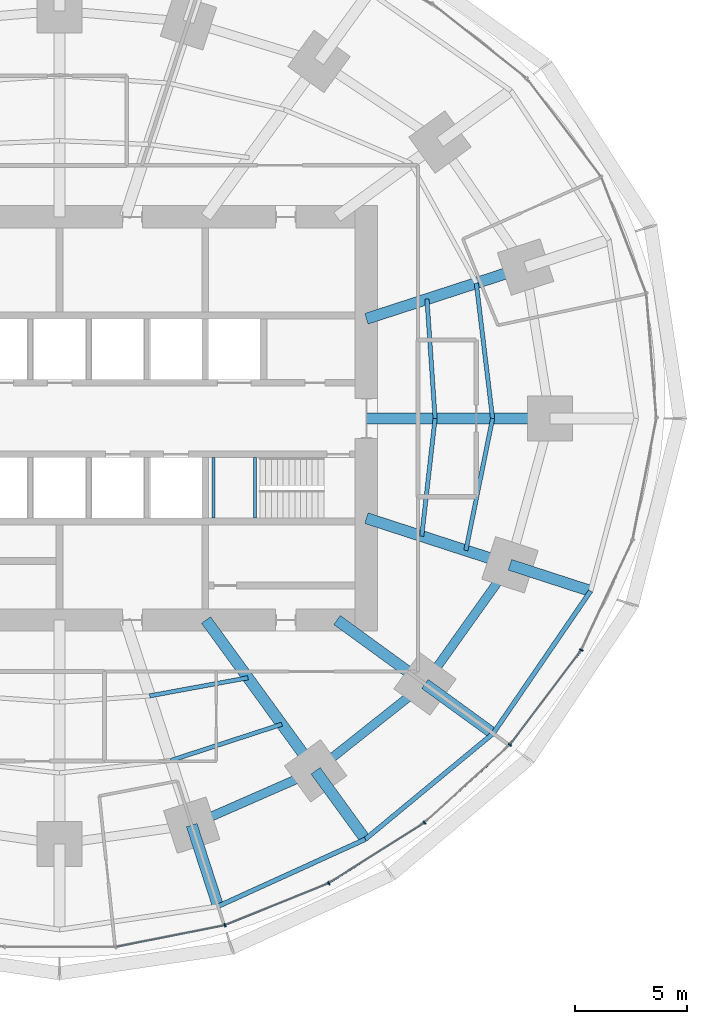
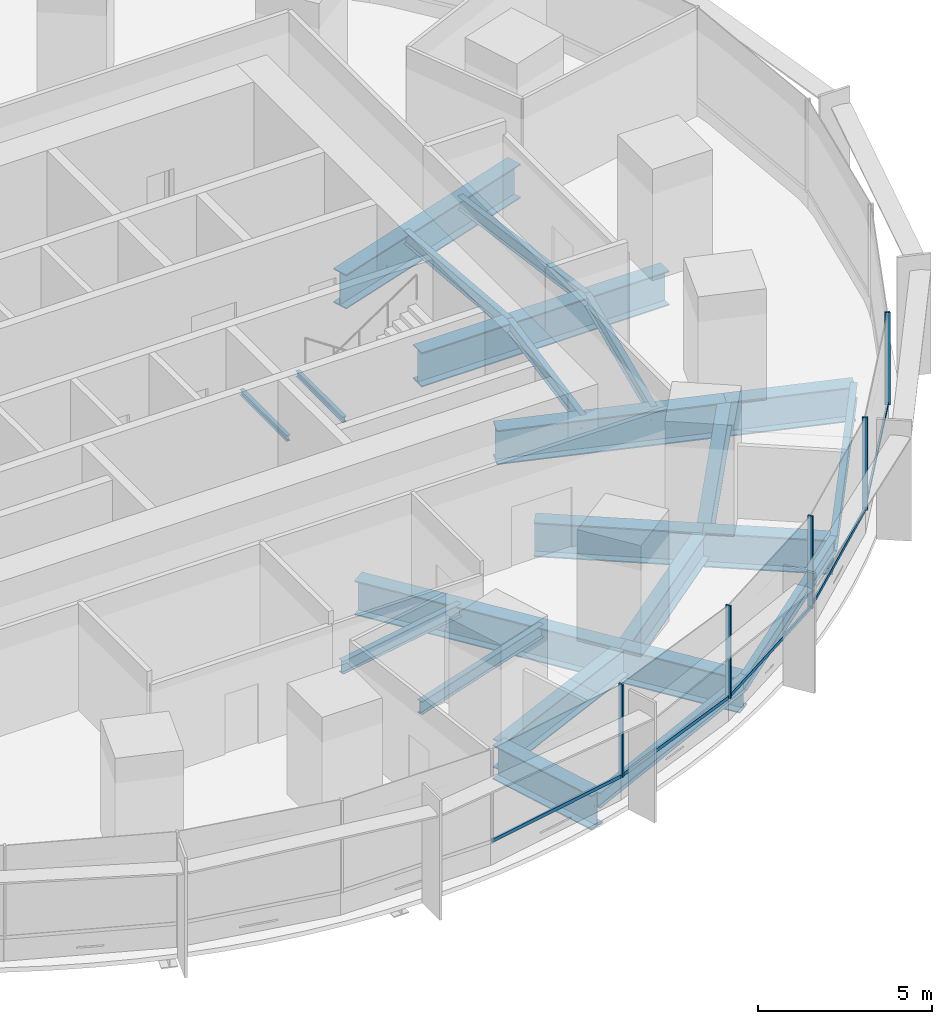
# One storey, part 5 of 15: 23 beams, 10 members, 2 elements without a shape of their own.
"""IFC4 building model written with IfcOpenShell, lengths in metres."""

from ifc_helpers import new_model, si_unit, direction, frame, origin, origin_2d, place, context, subcontext, project, spatial, rectangle, i_section, extrude, material, material_profile, profile_set, type_object, element, aggregate, save


model = new_model("IFC4")

# Units and contexts
model_context = context("Model", 3, precision=1e-05, world=origin(), true_north=direction((0.0, 1.0)))
body_context = subcontext(model_context, "Body", "Model", "MODEL_VIEW")
ifc_project = project(units=[si_unit("LENGTHUNIT", "METRE"), si_unit("AREAUNIT", "SQUARE_METRE"), si_unit("VOLUMEUNIT", "CUBIC_METRE"), si_unit("PLANEANGLEUNIT", "RADIAN"), si_unit("MASSUNIT", "GRAM", prefix="KILO")], contexts=[model_context])

# Site, building, storey
site_placement = place(None, origin())
site = spatial("IfcSite", under=ifc_project, at=site_placement, CompositionType="ELEMENT")
building_placement = place(site_placement, origin())
building = spatial("IfcBuilding", under=site, at=building_placement, Name="Marramba Exchange Tower", CompositionType="ELEMENT")
storey_placement = place(building_placement, frame((0.0, 0.0, 65.800048828125)))
storey = spatial("IfcBuildingStorey", under=building, at=storey_placement, Name="L15", CompositionType="ELEMENT", Elevation=65.800048828125)

# Beams
ifc_material_1 = material(Name="Steel AS/NZS 3679.2 grade 300", Category="steel")
ifc_material_profile_1 = material_profile(ifc_material_1, i_section(OverallWidth=0.5, OverallDepth=1.199951171875, WebThickness=0.01611328125, FlangeThickness=0.0400390625, at=origin_2d()), Name="1200WB455")
ifc_profile_set_1 = profile_set([ifc_material_profile_1], Name="Steel AS/NZS 3679.2 grade 300")
beam_type_1 = type_object("IfcBeamType", Name="Cantilever girder 1200WB455", PredefinedType="BEAM", material=ifc_profile_set_1)
beam_1_placement = place(storey_placement, frame((5.899658203125, -18.156982421875, -0.760009765625), z_axis=(0.309009272901, -0.951059025119, 0.0), x_axis=(0.951059025119, 0.309009272901, 0.0)))
element("IfcBeam", 1, at=beam_1_placement, inside=storey, type_object=beam_type_1, Name="Cantilever girder L15 TC17", PredefinedType="BEAM", context=body_context, shape_type="SweptSolid", body=[
    extrude(i_section(OverallWidth=0.5, OverallDepth=1.199951171875, WebThickness=0.01611328125, FlangeThickness=0.0400390625, at=origin_2d()), origin(), (0.0, 0.0, 1.0), 3.809814453125),
])
beam_2_placement = place(storey_placement, frame((11.430419921875, -15.732666015625, -0.760009765625), z_axis=(0.587787232741, -0.809015555491, 0.0), x_axis=(0.809015555491, 0.587787232741, 0.0)))
element("IfcBeam", 2, at=beam_2_placement, inside=storey, type_object=beam_type_1, Name="Cantilever girder L15 TC18", PredefinedType="BEAM", context=body_context, shape_type="SweptSolid", body=[
    extrude(i_section(OverallWidth=0.5, OverallDepth=1.199951171875, WebThickness=0.01611328125, FlangeThickness=0.0400390625, at=origin_2d()), origin(), (0.0, 0.0, 1.0), 3.7763671875),
])
beam_3_placement = place(storey_placement, frame((16.3154296875, -11.853759765625, -0.760009765625), z_axis=(0.809008346081, -0.587797155463, 0.0), x_axis=(0.587797155463, 0.809008346081, 0.0)))
element("IfcBeam", 3, at=beam_3_placement, inside=storey, type_object=beam_type_1, Name="Cantilever girder L15 TC19", PredefinedType="BEAM", context=body_context, shape_type="SweptSolid", body=[
    extrude(i_section(OverallWidth=0.5, OverallDepth=1.199951171875, WebThickness=0.01611328125, FlangeThickness=0.0400390625, at=origin_2d()), origin(), (0.0, 0.0, 1.0), 3.76025390625),
])
beam_4_placement = place(storey_placement, frame((20.109375, -6.533935546875, -0.760009765625), z_axis=(0.951048759501, -0.309040866314, 0.0), x_axis=(0.309040866314, 0.951048759501, 0.0)))
element("IfcBeam", 4, at=beam_4_placement, inside=storey, type_object=beam_type_1, Name="Cantilever girder L15 TC20", PredefinedType="BEAM", context=body_context, shape_type="SweptSolid", body=[
    extrude(i_section(OverallWidth=0.5, OverallDepth=1.199951171875, WebThickness=0.01611328125, FlangeThickness=0.0400390625, at=origin_2d()), origin(), (0.0, 0.0, 1.0), 3.78564453125),
])
ifc_material_2 = material(Name="Steel AS/NZS 3679.1 grade 300", Category="steel")
ifc_material_profile_2 = material_profile(ifc_material_2, i_section(OverallWidth=0.18994140625, OverallDepth=0.4541015625, WebThickness=0.008544921875, FlangeThickness=0.0126953125, FilletRadius=0.011474609375, at=origin_2d()), Name="460UB67.1")
ifc_profile_set_2 = profile_set([ifc_material_profile_2], Name="Steel AS/NZS 3679.1 grade 300")
beam_type_2 = type_object("IfcBeamType", Name="Floor joist 460UB67.1", PredefinedType="JOIST", material=ifc_profile_set_2)
beam_5_placement = place(storey_placement, frame((16.7666015625, 0.0, -0.386962890625), z_axis=(-0.068096259546, 0.99767875563, 0.0), x_axis=(-0.99767875563, -0.068096259546, 0.0)))
element("IfcBeam", 5, at=beam_5_placement, inside=storey, type_object=beam_type_2, Name="Joist L15 bay 01 row 1", PredefinedType="JOIST", context=body_context, shape_type="SweptSolid", body=[
    extrude(i_section(OverallWidth=0.18994140625, OverallDepth=0.4541015625, WebThickness=0.008544921875, FlangeThickness=0.0126953125, FilletRadius=0.011474609375, at=origin_2d()), origin(), (0.0, 0.0, 1.0), 5.342041015625),
])
beam_6_placement = place(storey_placement, frame((19.333251953125, 0.0, -0.386962890625), z_axis=(-0.119523078538, 0.992831422597, 0.0), x_axis=(-0.992831422597, -0.119523078538, 0.0)))
element("IfcBeam", 6, at=beam_6_placement, inside=storey, type_object=beam_type_2, Name="Joist L15 bay 01 row 2", PredefinedType="JOIST", context=body_context, shape_type="SweptSolid", body=[
    extrude(i_section(OverallWidth=0.18994140625, OverallDepth=0.4541015625, WebThickness=0.008544921875, FlangeThickness=0.0126953125, FilletRadius=0.011474609375, at=origin_2d()), origin(), (0.0, 0.0, 1.0), 6.089111328125),
])
beam_7_placement = place(storey_placement, frame((4.0244140625, -12.3857421875, -0.386962890625), z_axis=(0.983455754421, 0.181148500119, 0.0), x_axis=(-0.181148500119, 0.983455754421, 0.0)))
element("IfcBeam", 7, at=beam_7_placement, inside=storey, type_object=beam_type_2, Name="Joist L15 bay 17 row 1", PredefinedType="JOIST", context=body_context, shape_type="SweptSolid", body=[
    extrude(i_section(OverallWidth=0.18994140625, OverallDepth=0.4541015625, WebThickness=0.008544921875, FlangeThickness=0.0126953125, FilletRadius=0.011474609375, at=origin_2d()), origin(), (0.0, 0.0, 1.0), 4.4609375),
])
beam_8_placement = place(storey_placement, frame((4.9619140625, -15.271484375, -0.386962890625), z_axis=(0.950764024931, 0.309915744834, 0.0), x_axis=(-0.309915744834, 0.950764024931, 0.0)))
element("IfcBeam", 8, at=beam_8_placement, inside=storey, type_object=beam_type_2, Name="Joist L15 bay 17 row 2", PredefinedType="JOIST", context=body_context, shape_type="SweptSolid", body=[
    extrude(i_section(OverallWidth=0.18994140625, OverallDepth=0.4541015625, WebThickness=0.008544921875, FlangeThickness=0.0126953125, FilletRadius=0.011474609375, at=origin_2d()), origin(), (0.0, 0.0, 1.0), 5.2158203125),
])
beam_9_placement = place(storey_placement, frame((16.169677734375, -5.25390625, -0.386962890625), z_axis=(0.112888968594, 0.993607609054, 0.0), x_axis=(-0.993607609054, 0.112888968594, 0.0)))
element("IfcBeam", 9, at=beam_9_placement, inside=storey, type_object=beam_type_2, Name="Joist L15 bay 20 row 1", PredefinedType="JOIST", context=body_context, shape_type="SweptSolid", body=[
    extrude(i_section(OverallWidth=0.18994140625, OverallDepth=0.4541015625, WebThickness=0.008544921875, FlangeThickness=0.0126953125, FilletRadius=0.011474609375, at=origin_2d()), origin(), (0.0, 0.0, 1.0), 5.28759765625),
])
beam_10_placement = place(storey_placement, frame((18.1396484375, -5.893798828125, -0.386962890625), z_axis=(0.198489047047, 0.980103105904, 0.0), x_axis=(-0.980103105904, 0.198489047047, 0.0)))
element("IfcBeam", 10, at=beam_10_placement, inside=storey, type_object=beam_type_2, Name="Joist L15 bay 20 row 2", PredefinedType="JOIST", context=body_context, shape_type="SweptSolid", body=[
    extrude(i_section(OverallWidth=0.18994140625, OverallDepth=0.4541015625, WebThickness=0.008544921875, FlangeThickness=0.0126953125, FilletRadius=0.011474609375, at=origin_2d()), origin(), (0.0, 0.0, 1.0), 6.013427734375),
])
ifc_material_profile_3 = material_profile(ifc_material_1, i_section(OverallWidth=0.5, OverallDepth=1.199951171875, WebThickness=0.01611328125, FlangeThickness=0.0400390625, at=origin_2d()), Name="1200WB455")
ifc_profile_set_3 = profile_set([ifc_material_profile_3], Name="Steel AS/NZS 3679.2 grade 300")
beam_type_3 = type_object("IfcBeamType", Name="Radial girder 1200WB455", PredefinedType="BEAM", material=ifc_profile_set_3)
beam_11_placement = place(storey_placement, frame((13.699951171875, 0.0, -0.760009765625), z_axis=(1.0, 0.0, 0.0), x_axis=(0.0, 1.0, 0.0)))
element("IfcBeam", 11, at=beam_11_placement, inside=storey, type_object=beam_type_3, Name="Radial girder L15 TC01", PredefinedType="BEAM", context=body_context, shape_type="SweptSolid", body=[
    extrude(i_section(OverallWidth=0.5, OverallDepth=1.199951171875, WebThickness=0.01611328125, FlangeThickness=0.0400390625, at=origin_2d()), origin(), (0.0, 0.0, 1.0), 8.199951171875),
])
beam_12_placement = place(storey_placement, frame((13.699951171875, 4.451416015625, -0.760009765625), z_axis=(0.951059990189, 0.309006302624, 0.0), x_axis=(-0.309006302624, 0.951059990189, 0.0)))
element("IfcBeam", 12, at=beam_12_placement, inside=storey, type_object=beam_type_3, Name="Radial girder L15 TC02", PredefinedType="BEAM", context=body_context, shape_type="SweptSolid", body=[
    extrude(i_section(OverallWidth=0.5, OverallDepth=1.199951171875, WebThickness=0.01611328125, FlangeThickness=0.0400390625, at=origin_2d()), origin(), (0.0, 0.0, 1.0), 7.47412109375),
])
beam_13_placement = place(storey_placement, frame((6.538818359375, -9.0, -0.760009765625), z_axis=(0.587787877172, -0.809015087282, 0.0), x_axis=(0.809015087282, 0.587787877172, 0.0)))
element("IfcBeam", 13, at=beam_13_placement, inside=storey, type_object=beam_type_3, Name="Radial girder L15 TC18", PredefinedType="BEAM", context=body_context, shape_type="SweptSolid", body=[
    extrude(i_section(OverallWidth=0.5, OverallDepth=1.199951171875, WebThickness=0.01611328125, FlangeThickness=0.0400390625, at=origin_2d()), origin(), (0.0, 0.0, 1.0), 8.322021484375),
])
beam_14_placement = place(storey_placement, frame((12.387451171875, -9.0, -0.760009765625), z_axis=(0.809025189606, -0.58777397236, 0.0), x_axis=(0.58777397236, 0.809025189606, 0.0)))
element("IfcBeam", 14, at=beam_14_placement, inside=storey, type_object=beam_type_3, Name="Radial girder L15 TC19", PredefinedType="BEAM", context=body_context, shape_type="SweptSolid", body=[
    extrude(i_section(OverallWidth=0.5, OverallDepth=1.199951171875, WebThickness=0.01611328125, FlangeThickness=0.0400390625, at=origin_2d()), origin(), (0.0, 0.0, 1.0), 4.855224609375),
])
beam_15_placement = place(storey_placement, frame((13.699951171875, -4.451416015625, -0.760009765625), z_axis=(0.951057759669, -0.309013167637, 0.0), x_axis=(0.309013167637, 0.951057759669, 0.0)))
element("IfcBeam", 15, at=beam_15_placement, inside=storey, type_object=beam_type_3, Name="Radial girder L15 TC20", PredefinedType="BEAM", context=body_context, shape_type="SweptSolid", body=[
    extrude(i_section(OverallWidth=0.5, OverallDepth=1.199951171875, WebThickness=0.01611328125, FlangeThickness=0.0400390625, at=origin_2d()), origin(), (0.0, 0.0, 1.0), 6.7392578125),
])
ifc_material_profile_4 = material_profile(ifc_material_1, i_section(OverallWidth=0.39990234375, OverallDepth=1.0, WebThickness=0.01611328125, FlangeThickness=0.031982421875, at=origin_2d()), Name="1000WB322")
ifc_profile_set_4 = profile_set([ifc_material_profile_4], Name="Steel AS/NZS 3679.2 grade 300")
beam_type_4 = type_object("IfcBeamType", Name="Ring beam 1000WB322", PredefinedType="SPANDREL", material=ifc_profile_set_4)
beam_16_placement = place(storey_placement, frame((5.899658203125, -18.156982421875, -0.66015625), z_axis=(0.915876892158, 0.4014592363, 0.0), x_axis=(-0.4014592363, 0.915876892158, 0.0)))
element("IfcBeam", 16, at=beam_16_placement, inside=storey, type_object=beam_type_4, Name="Ring beam L15 TC17-TC18", PredefinedType="SPANDREL", context=body_context, shape_type="SweptSolid", body=[
    extrude(i_section(OverallWidth=0.39990234375, OverallDepth=1.0, WebThickness=0.01611328125, FlangeThickness=0.031982421875, at=origin_2d()), origin(), (0.0, 0.0, 1.0), 6.038818359375),
])
beam_17_placement = place(storey_placement, frame((11.430419921875, -15.732666015625, -0.66015625), z_axis=(0.783139438128, 0.621846138887, 0.0), x_axis=(-0.621846138887, 0.783139438128, 0.0)))
element("IfcBeam", 17, at=beam_17_placement, inside=storey, type_object=beam_type_4, Name="Ring beam L15 TC18-TC19", PredefinedType="SPANDREL", context=body_context, shape_type="SweptSolid", body=[
    extrude(i_section(OverallWidth=0.39990234375, OverallDepth=1.0, WebThickness=0.01611328125, FlangeThickness=0.031982421875, at=origin_2d()), origin(), (0.0, 0.0, 1.0), 6.23779296875),
])
beam_18_placement = place(storey_placement, frame((16.3154296875, -11.853759765625, -0.66015625), z_axis=(0.580637181111, 0.814162430914, 0.0), x_axis=(-0.814162430914, 0.580637181111, 0.0)))
element("IfcBeam", 18, at=beam_18_placement, inside=storey, type_object=beam_type_4, Name="Ring beam L15 TC19-TC20", PredefinedType="SPANDREL", context=body_context, shape_type="SweptSolid", body=[
    extrude(i_section(OverallWidth=0.39990234375, OverallDepth=1.0, WebThickness=0.01611328125, FlangeThickness=0.031982421875, at=origin_2d()), origin(), (0.0, 0.0, 1.0), 6.5341796875),
])
ifc_material_profile_5 = material_profile(ifc_material_2, i_section(OverallWidth=0.208984375, OverallDepth=0.528076171875, WebThickness=0.009521484375, FlangeThickness=0.01318359375, FilletRadius=0.013916015625, at=origin_2d()), Name="530UB82.0")
ifc_profile_set_5 = profile_set([ifc_material_profile_5], Name="Steel AS/NZS 3679.1 grade 300")
beam_type_5 = type_object("IfcBeamType", Name="Slab edge beam 530UB82.0", PredefinedType="SPANDREL", material=ifc_profile_set_5)
beam_19_placement = place(storey_placement, frame((7.076904296875, -21.7802734375, -0.424072265625), z_axis=(0.910126690081, 0.414330071324, 0.0), x_axis=(-0.414330071324, 0.910126690081, 0.0)))
element("IfcBeam", 19, at=beam_19_placement, inside=storey, type_object=beam_type_5, Name="Slab edge beam L15 TC17-TC18", PredefinedType="SPANDREL", context=body_context, shape_type="SweptSolid", body=[
    extrude(i_section(OverallWidth=0.208984375, OverallDepth=0.528076171875, WebThickness=0.009521484375, FlangeThickness=0.01318359375, FilletRadius=0.013916015625, at=origin_2d()), origin(), (0.0, 0.0, 1.0), 7.222412109375),
])
beam_20_placement = place(storey_placement, frame((13.650146484375, -18.787841796875, -0.424072265625), z_axis=(0.770353575372, 0.637616945283, 0.0), x_axis=(-0.637616945283, 0.770353575372, 0.0)))
element("IfcBeam", 20, at=beam_20_placement, inside=storey, type_object=beam_type_5, Name="Slab edge beam L15 TC18-TC19", PredefinedType="SPANDREL", context=body_context, shape_type="SweptSolid", body=[
    extrude(i_section(OverallWidth=0.208984375, OverallDepth=0.528076171875, WebThickness=0.009521484375, FlangeThickness=0.01318359375, FilletRadius=0.013916015625, at=origin_2d()), origin(), (0.0, 0.0, 1.0), 7.40869140625),
])
beam_21_placement = place(storey_placement, frame((19.357421875, -14.06396484375, -0.424072265625), z_axis=(0.564740697285, 0.82526840775, 0.0), x_axis=(-0.82526840775, 0.564740697285, 0.0)))
element("IfcBeam", 21, at=beam_21_placement, inside=storey, type_object=beam_type_5, Name="Slab edge beam L15 TC19-TC20", PredefinedType="SPANDREL", context=body_context, shape_type="SweptSolid", body=[
    extrude(i_section(OverallWidth=0.208984375, OverallDepth=0.528076171875, WebThickness=0.009521484375, FlangeThickness=0.01318359375, FilletRadius=0.013916015625, at=origin_2d()), origin(), (0.0, 0.0, 1.0), 7.706787109375),
])
ifc_material_profile_6 = material_profile(ifc_material_2, i_section(OverallWidth=0.133056640625, OverallDepth=0.202880859375, WebThickness=0.005859375, FlangeThickness=0.0078125, FilletRadius=0.0087890625, at=origin_2d()), Name="200UB25.4")
ifc_profile_set_6 = profile_set([ifc_material_profile_6], Name="Steel AS/NZS 3679.1 grade 300")
beam_type_6 = type_object("IfcBeamType", Name="Stair landing beam 200UB25.4", PredefinedType="BEAM", material=ifc_profile_set_6)
for number, where, z_axis, x_axis, name in (
    (22, (6.866455078125, -4.449951171875, 1.79833984375), (0.0, 1.0, 0.0), (-1.0, 0.0, 0.0), "Stair landing beam SLB1 ST2 L15 1"),
    (23, (8.723388671875, -4.449951171875, 1.79833984375), (0.0, 1.0, 0.0), (-1.0, 0.0, 0.0), "Stair landing beam SLB1 ST2 L15 2"),
):
    element("IfcBeam", number, at=place(storey_placement, frame(where, z_axis=z_axis, x_axis=x_axis)), inside=storey, type_object=beam_type_6, Name=name, PredefinedType="BEAM", context=body_context, shape_type="SweptSolid", body=[
        extrude(i_section(OverallWidth=0.133056640625, OverallDepth=0.202880859375, WebThickness=0.005859375, FlangeThickness=0.0078125, FilletRadius=0.0087890625, at=origin_2d()), origin(), (0.0, 0.0, 1.0), 2.699951171875),
    ])

# Curtain wall, member
ifc_material_3 = material(Name="Aluminium framing, bronze anodised", Category="aluminium")
curtain_wall_type = type_object("IfcCurtainWallType", Name="Trading floor ribbon curtain wall", PredefinedType="USERDEFINED", material=ifc_material_3)
curtain_wall_1_placement = place(storey_placement, origin())
curtain_wall_1 = element("IfcCurtainWall", 24, at=curtain_wall_1_placement, inside=storey, type_object=curtain_wall_type, Name="Curtain wall CW3 L15 F21-F25", ObjectType="RIBBON CURTAIN WALL", PredefinedType="USERDEFINED")
ifc_material_4 = material(Name="Aluminium mullion, bronze anodised", Category="aluminium")
ifc_material_profile_7 = material_profile(ifc_material_4, rectangle(XDim=0.159912109375, YDim=0.06005859375, at=origin_2d()), Name="CW3 mullion 60x160")
ifc_profile_set_7 = profile_set([ifc_material_profile_7], Name="Aluminium mullion, bronze anodised")
member_type_1 = type_object("IfcMemberType", Name="Trading floor ribbon curtain wall mullion", PredefinedType="MULLION", material=ifc_profile_set_7)
member_1_placement = place(storey_placement, frame((7.3828125, -22.625, 0.800048828125), z_axis=(0.0, 0.0, 1.0), x_axis=(-0.374218219325, 0.927340673283, 0.0)))
member_1 = element("IfcMember", 25, at=member_1_placement, type_object=member_type_1, Name="CW3 mullion 1", PredefinedType="MULLION", context=body_context, shape_type="SweptSolid", body=[
    extrude(rectangle(XDim=0.159912109375, YDim=0.06005859375, at=origin_2d()), origin(), (0.0, 0.0, 1.0), 3.239990234375),
])

# Curtain wall, members
curtain_wall_2_placement = place(storey_placement, origin())
curtain_wall_2 = element("IfcCurtainWall", 26, at=curtain_wall_2_placement, inside=storey, type_object=curtain_wall_type, Name="Curtain wall CW3 L15 F26-F30", ObjectType="RIBBON CURTAIN WALL", PredefinedType="USERDEFINED")
member_2_placement = place(storey_placement, frame((12.0146484375, -20.75, 0.800048828125), z_axis=(0.0, 0.0, 1.0), x_axis=(-0.533514646612, 0.845790826298, 0.0)))
member_2 = element("IfcMember", 27, at=member_2_placement, type_object=member_type_1, Name="CW3 mullion 1", PredefinedType="MULLION", context=body_context, shape_type="SweptSolid", body=[
    extrude(rectangle(XDim=0.159912109375, YDim=0.06005859375, at=origin_2d()), origin(), (0.0, 0.0, 1.0), 3.239990234375),
])
member_3_placement = place(storey_placement, frame((16.2900390625, -18.047119140625, 0.800048828125), z_axis=(0.0, 0.0, 1.0), x_axis=(-0.673058133441, 0.739589581463, 0.0)))
member_3 = element("IfcMember", 28, at=member_3_placement, type_object=member_type_1, Name="CW3 mullion 1", PredefinedType="MULLION", context=body_context, shape_type="SweptSolid", body=[
    extrude(rectangle(XDim=0.159912109375, YDim=0.06005859375, at=origin_2d()), origin(), (0.0, 0.0, 1.0), 3.239990234375),
])
member_4_placement = place(storey_placement, frame((20.103515625, -14.569091796875, 0.800048828125), z_axis=(0.0, 0.0, 1.0), x_axis=(-0.797710591138, 0.603040473588, 0.0)))
member_4 = element("IfcMember", 29, at=member_4_placement, type_object=member_type_1, Name="CW3 mullion 1", PredefinedType="MULLION", context=body_context, shape_type="SweptSolid", body=[
    extrude(rectangle(XDim=0.159912109375, YDim=0.06005859375, at=origin_2d()), origin(), (0.0, 0.0, 1.0), 3.239990234375),
])
member_5_placement = place(storey_placement, frame((23.2939453125, -10.33837890625, 0.800048828125), z_axis=(0.0, 0.0, 1.0), x_axis=(-0.905906758768, 0.423477206492, 0.0)))
member_5 = element("IfcMember", 30, at=member_5_placement, type_object=member_type_1, Name="CW3 mullion 1", PredefinedType="MULLION", context=body_context, shape_type="SweptSolid", body=[
    extrude(rectangle(XDim=0.159912109375, YDim=0.06005859375, at=origin_2d()), origin(), (0.0, 0.0, 1.0), 3.239990234375),
])

# Member
ifc_material_5 = material(Name="Aluminium transom, bronze anodised", Category="aluminium")
ifc_material_profile_8 = material_profile(ifc_material_5, rectangle(XDim=0.06005859375, YDim=0.1201171875, at=origin_2d()), Name="CW3 transom 60x120")
ifc_profile_set_8 = profile_set([ifc_material_profile_8], Name="Aluminium transom, bronze anodised")
member_type_2 = type_object("IfcMemberType", Name="Trading floor ribbon curtain wall transom", PredefinedType="USERDEFINED", material=ifc_profile_set_8)
member_6_placement = place(storey_placement, frame((2.539306640625, -23.58837890625, 0.829833984375), z_axis=(0.981008707181, 0.193963698758, 0.0), x_axis=(-0.193963698758, 0.981008707181, 0.0)))
member_6 = element("IfcMember", 31, at=member_6_placement, type_object=member_type_2, Name="CW3 sill transom", ObjectType="TRANSOM", PredefinedType="USERDEFINED", context=body_context, shape_type="SweptSolid", body=[
    extrude(rectangle(XDim=0.06005859375, YDim=0.1201171875, at=origin_2d()), origin(), (0.0, 0.0, 1.0), 4.908935546875),
])

member_7_placement = place(storey_placement, frame((7.41064453125, -22.61376953125, 0.829833984375), z_axis=(0.927340197166, 0.374219399176, 0.0), x_axis=(-0.374219399176, 0.927340197166, 0.0)))
member_7 = element("IfcMember", 32, at=member_7_placement, type_object=member_type_2, Name="CW3 sill transom", ObjectType="TRANSOM", PredefinedType="USERDEFINED", context=body_context, shape_type="SweptSolid", body=[
    extrude(rectangle(XDim=0.06005859375, YDim=0.1201171875, at=origin_2d()), origin(), (0.0, 0.0, 1.0), 4.937255859375),
])

aggregate(curtain_wall_1, [member_6, member_1, member_7])

member_8_placement = place(storey_placement, frame((12.0400390625, -20.734130859375, 0.829833984375), z_axis=(0.845776602594, 0.533537195053, 0.0), x_axis=(-0.533537195053, 0.845776602594, 0.0)))
member_8 = element("IfcMember", 33, at=member_8_placement, type_object=member_type_2, Name="CW3 sill transom", ObjectType="TRANSOM", PredefinedType="USERDEFINED", context=body_context, shape_type="SweptSolid", body=[
    extrude(rectangle(XDim=0.06005859375, YDim=0.1201171875, at=origin_2d()), origin(), (0.0, 0.0, 1.0), 4.998779296875),
])

member_9_placement = place(storey_placement, frame((16.312255859375, -18.02685546875, 0.829833984375), z_axis=(0.739582688456, 0.673065707741, 0.0), x_axis=(-0.673065707741, 0.739582688456, 0.0)))
member_9 = element("IfcMember", 34, at=member_9_placement, type_object=member_type_2, Name="CW3 sill transom", ObjectType="TRANSOM", PredefinedType="USERDEFINED", context=body_context, shape_type="SweptSolid", body=[
    extrude(rectangle(XDim=0.06005859375, YDim=0.1201171875, at=origin_2d()), origin(), (0.0, 0.0, 1.0), 5.101806640625),
])

member_10_placement = place(storey_placement, frame((20.12158203125, -14.545166015625, 0.829833984375), z_axis=(0.603037409419, 0.797712907531, 0.0), x_axis=(-0.797712907531, 0.603037409419, 0.0)))
member_10 = element("IfcMember", 35, at=member_10_placement, type_object=member_type_2, Name="CW3 sill transom", ObjectType="TRANSOM", PredefinedType="USERDEFINED", context=body_context, shape_type="SweptSolid", body=[
    extrude(rectangle(XDim=0.06005859375, YDim=0.1201171875, at=origin_2d()), origin(), (0.0, 0.0, 1.0), 5.239501953125),
])

aggregate(curtain_wall_2, [member_2, member_8, member_3, member_9, member_4, member_10, member_5])

save(model, "model.ifc")
